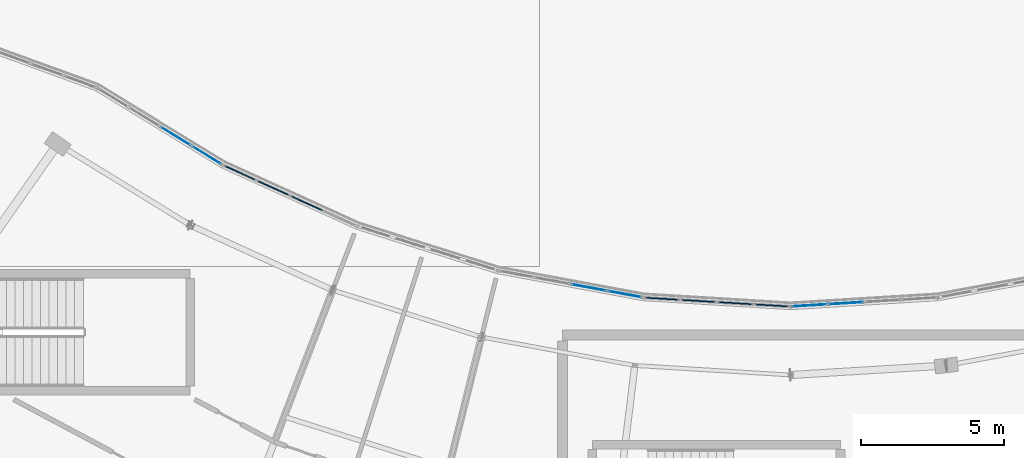
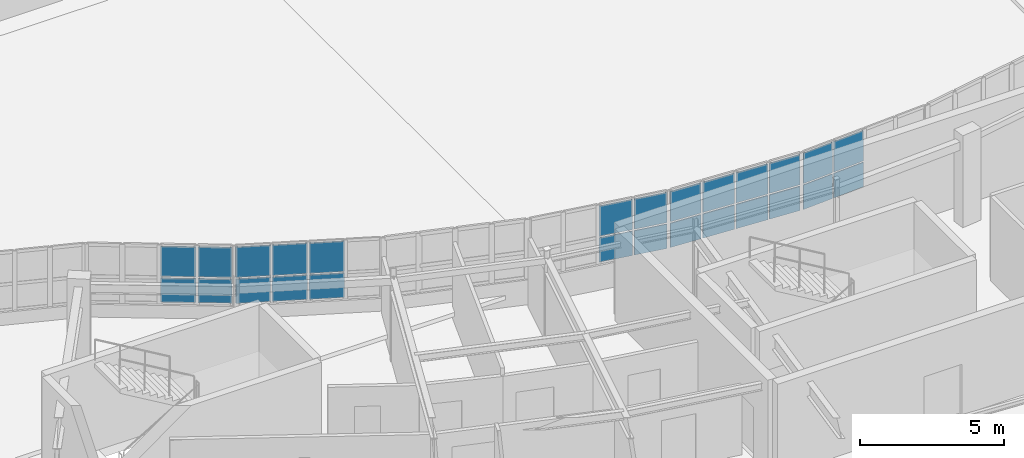
# One storey, part 69 of 128: 26 plates, 5 elements without a shape of their own.
"""IFC4 building model written with IfcOpenShell, lengths in metres."""

from ifc_helpers import new_model, si_unit, direction, frame, origin, origin_2d, place, context, subcontext, project, spatial, rectangle, extrude, material, layer, layer_set, type_object, element, aggregate, save


model = new_model("IFC4")

# Units and contexts
model_context = context("Model", 3, precision=1e-05, world=origin(), true_north=direction((0.0, 1.0)))
body_context = subcontext(model_context, "Body", "Model", "MODEL_VIEW")
ifc_project = project(units=[si_unit("LENGTHUNIT", "METRE"), si_unit("AREAUNIT", "SQUARE_METRE"), si_unit("VOLUMEUNIT", "CUBIC_METRE"), si_unit("PLANEANGLEUNIT", "RADIAN"), si_unit("MASSUNIT", "GRAM", prefix="KILO")], contexts=[model_context])

# Site, building, storey
site_placement = place(None, origin())
site = spatial("IfcSite", under=ifc_project, at=site_placement, CompositionType="ELEMENT")
building_placement = place(site_placement, origin())
building = spatial("IfcBuilding", under=site, at=building_placement, Name="Tarnwether General Hospital", CompositionType="ELEMENT")
storey_placement = place(building_placement, frame((0.0, 0.0, 14.39990234375)))
storey = spatial("IfcBuildingStorey", under=building, at=storey_placement, Name="L03", CompositionType="ELEMENT", Elevation=14.39990234375)

# Curtain wall, plates
ifc_material_1 = material(Name="Anodised aluminium", Category="aluminium")
ifc_layer_1 = layer(ifc_material_1, 0.159912109375)
ifc_layer_set_1 = layer_set([ifc_layer_1], Name="Anodised aluminium")
curtain_wall_type = type_object("IfcCurtainWallType", Name="CW-04", PredefinedType="NOTDEFINED", material=ifc_layer_set_1)
curtain_wall_1_placement = place(storey_placement, origin())
curtain_wall_1 = element("IfcCurtainWall", 1, at=curtain_wall_1_placement, inside=storey, type_object=curtain_wall_type, Name="Curtain Wall CWG-L03-920_206-0174", PredefinedType="NOTDEFINED")
ifc_material_2 = material(Name="Double glazed low-E glass", Category="glass")
ifc_layer_2 = layer(ifc_material_2, 0.028076171875)
ifc_layer_set_2 = layer_set([ifc_layer_2], Name="Double glazed low-E glass")
plate_type_1 = type_object("IfcPlateType", Name="PT-CWP1", PredefinedType="CURTAIN_PANEL", material=ifc_layer_set_2)
plate_1_placement = place(storey_placement, frame((92.660888671875, 20.640380859375, 1.110107421875), z_axis=(0.0, 0.0, 1.0), x_axis=(0.998135119267, 0.06104329354, 0.0)))
plate_1 = element("IfcPlate", 2, at=plate_1_placement, type_object=plate_type_1, Name="CW-04 panel 1.1", PredefinedType="CURTAIN_PANEL", context=body_context, shape_type="SweptSolid", body=[
    extrude(rectangle(XDim=1.2041015625, YDim=0.028076171875, at=origin_2d()), origin(), (0.0, 0.0, 1.0), 1.03955078125),
])
plate_2_placement = place(storey_placement, frame((92.660888671875, 20.640380859375, 2.20947265625), z_axis=(0.0, 0.0, 1.0), x_axis=(0.998135119267, 0.06104329354, 0.0)))
plate_2 = element("IfcPlate", 3, at=plate_2_placement, type_object=plate_type_1, Name="CW-04 panel 1.2", PredefinedType="CURTAIN_PANEL", context=body_context, shape_type="SweptSolid", body=[
    extrude(rectangle(XDim=1.2041015625, YDim=0.028076171875, at=origin_2d()), origin(), (0.0, 0.0, 1.0), 1.29052734375),
])
plate_3_placement = place(storey_placement, frame((93.937744140625, 20.718505859375, 1.110107421875), z_axis=(0.0, 0.0, 1.0), x_axis=(0.998135119267, 0.06104329354, 0.0)))
plate_3 = element("IfcPlate", 4, at=plate_3_placement, type_object=plate_type_1, Name="CW-04 panel 2.1", PredefinedType="CURTAIN_PANEL", context=body_context, shape_type="SweptSolid", body=[
    extrude(rectangle(XDim=1.234130859375, YDim=0.028076171875, at=origin_2d()), origin(), (0.0, 0.0, 1.0), 1.03955078125),
])
plate_4_placement = place(storey_placement, frame((93.937744140625, 20.718505859375, 2.20947265625), z_axis=(0.0, 0.0, 1.0), x_axis=(0.998135119267, 0.06104329354, 0.0)))
plate_4 = element("IfcPlate", 5, at=plate_4_placement, type_object=plate_type_1, Name="CW-04 panel 2.2", PredefinedType="CURTAIN_PANEL", context=body_context, shape_type="SweptSolid", body=[
    extrude(rectangle(XDim=1.234130859375, YDim=0.028076171875, at=origin_2d()), origin(), (0.0, 0.0, 1.0), 1.29052734375),
])
aggregate(curtain_wall_1, [plate_1, plate_2, plate_3, plate_4])

curtain_wall_2_placement = place(storey_placement, origin())
curtain_wall_2 = element("IfcCurtainWall", 6, at=curtain_wall_2_placement, inside=storey, type_object=curtain_wall_type, Name="Curtain Wall CWG-L03-817_219-0176", PredefinedType="NOTDEFINED")
plate_5_placement = place(storey_placement, frame((84.92431640625, 21.26953125, 1.115234375), z_axis=(0.0, 0.0, 1.0), x_axis=(0.983267910924, -0.182165351666, 0.0)))
plate_5 = element("IfcPlate", 7, at=plate_5_placement, type_object=plate_type_1, Name="CW-04 panel 3.1", PredefinedType="CURTAIN_PANEL", context=body_context, shape_type="SweptSolid", body=[
    extrude(rectangle(XDim=1.229248046875, YDim=0.028076171875, at=origin_2d()), origin(), (0.0, 0.0, 1.0), 1.031982421875),
])
plate_6_placement = place(storey_placement, frame((84.92431640625, 21.26953125, 2.2119140625), z_axis=(0.0, 0.0, 1.0), x_axis=(0.983267910924, -0.182165351666, 0.0)))
plate_6 = element("IfcPlate", 8, at=plate_6_placement, type_object=plate_type_1, Name="CW-04 panel 3.2", PredefinedType="CURTAIN_PANEL", context=body_context, shape_type="SweptSolid", body=[
    extrude(rectangle(XDim=1.229248046875, YDim=0.028076171875, at=origin_2d()), origin(), (0.0, 0.0, 1.0), 1.282958984375),
])
plate_7_placement = place(storey_placement, frame((86.1806640625, 21.036865234375, 1.115234375), z_axis=(0.0, 0.0, 1.0), x_axis=(0.983267910924, -0.182165351666, 0.0)))
plate_7 = element("IfcPlate", 9, at=plate_7_placement, type_object=plate_type_1, Name="CW-04 panel 4.1", PredefinedType="CURTAIN_PANEL", context=body_context, shape_type="SweptSolid", body=[
    extrude(rectangle(XDim=1.196533203125, YDim=0.028076171875, at=origin_2d()), origin(), (0.0, 0.0, 1.0), 1.031982421875),
])
plate_8_placement = place(storey_placement, frame((86.1806640625, 21.036865234375, 2.2119140625), z_axis=(0.0, 0.0, 1.0), x_axis=(0.983267910924, -0.182165351666, 0.0)))
plate_8 = element("IfcPlate", 10, at=plate_8_placement, type_object=plate_type_1, Name="CW-04 panel 4.2", PredefinedType="CURTAIN_PANEL", context=body_context, shape_type="SweptSolid", body=[
    extrude(rectangle(XDim=1.196533203125, YDim=0.028076171875, at=origin_2d()), origin(), (0.0, 0.0, 1.0), 1.282958984375),
])
aggregate(curtain_wall_2, [plate_5, plate_6, plate_7, plate_8])

curtain_wall_3_placement = place(storey_placement, origin())
curtain_wall_3 = element("IfcCurtainWall", 11, at=curtain_wall_3_placement, inside=storey, type_object=curtain_wall_type, Name="Curtain Wall CWG-L03-677_283-0179", PredefinedType="NOTDEFINED")
plate_9_placement = place(storey_placement, frame((70.438720703125, 26.577392578125, 1.1201171875), z_axis=(0.0, 0.0, 1.0), x_axis=(0.852631789198, -0.522512231483, 0.0)))
plate_9 = element("IfcPlate", 12, at=plate_9_placement, type_object=plate_type_1, Name="CW-04 panel 3.1", PredefinedType="CURTAIN_PANEL", context=body_context, shape_type="SweptSolid", body=[
    extrude(rectangle(XDim=1.22412109375, YDim=0.028076171875, at=origin_2d()), origin(), (0.0, 0.0, 1.0), 1.0244140625),
])
plate_10_placement = place(storey_placement, frame((70.438720703125, 26.577392578125, 2.214599609375), z_axis=(0.0, 0.0, 1.0), x_axis=(0.852631789198, -0.522512231483, 0.0)))
plate_10 = element("IfcPlate", 13, at=plate_10_placement, type_object=plate_type_1, Name="CW-04 panel 3.2", PredefinedType="CURTAIN_PANEL", context=body_context, shape_type="SweptSolid", body=[
    extrude(rectangle(XDim=1.22412109375, YDim=0.028076171875, at=origin_2d()), origin(), (0.0, 0.0, 1.0), 1.275390625),
])
plate_11_placement = place(storey_placement, frame((71.52734375, 25.91015625, 1.1201171875), z_axis=(0.0, 0.0, 1.0), x_axis=(0.852631789198, -0.522512231483, 0.0)))
plate_11 = element("IfcPlate", 14, at=plate_11_placement, type_object=plate_type_1, Name="CW-04 panel 4.1", PredefinedType="CURTAIN_PANEL", context=body_context, shape_type="SweptSolid", body=[
    extrude(rectangle(XDim=1.189208984375, YDim=0.028076171875, at=origin_2d()), origin(), (0.0, 0.0, 1.0), 1.0244140625),
])
plate_12_placement = place(storey_placement, frame((71.52734375, 25.91015625, 2.214599609375), z_axis=(0.0, 0.0, 1.0), x_axis=(0.852631789198, -0.522512231483, 0.0)))
plate_12 = element("IfcPlate", 15, at=plate_12_placement, type_object=plate_type_1, Name="CW-04 panel 4.2", PredefinedType="CURTAIN_PANEL", context=body_context, shape_type="SweptSolid", body=[
    extrude(rectangle(XDim=1.189208984375, YDim=0.028076171875, at=origin_2d()), origin(), (0.0, 0.0, 1.0), 1.275390625),
])
aggregate(curtain_wall_3, [plate_9, plate_10, plate_11, plate_12])

curtain_wall_4_placement = place(storey_placement, origin())
curtain_wall_4 = element("IfcCurtainWall", 16, at=curtain_wall_4_placement, inside=storey, type_object=curtain_wall_type, Name="Curtain Wall CWG-L03-868_209-0175", PredefinedType="NOTDEFINED")
ifc_material_3 = material(Name="Double glazed low-E glass", Category="glass")
ifc_layer_3 = layer(ifc_material_3, 0.035888671875)
ifc_layer_set_3 = layer_set([ifc_layer_3], Name="Double glazed low-E glass")
plate_type_2 = type_object("IfcPlateType", Name="PT-CWP2", PredefinedType="CURTAIN_PANEL", material=ifc_layer_set_3)
plate_13_placement = place(storey_placement, frame((87.496337890625, 20.87548828125, 1.1201171875), z_axis=(0.0, 0.0, 1.0), x_axis=(0.998135119267, -0.06104329354, 0.0)))
plate_13 = element("IfcPlate", 17, at=plate_13_placement, type_object=plate_type_2, Name="CW-04 panel 1.1", PredefinedType="CURTAIN_PANEL", context=body_context, shape_type="SweptSolid", body=[
    extrude(rectangle(XDim=1.189208984375, YDim=0.035888671875, at=origin_2d()), origin(), (0.0, 0.0, 1.0), 1.0244140625),
])
plate_14_placement = place(storey_placement, frame((87.496337890625, 20.87548828125, 2.214599609375), z_axis=(0.0, 0.0, 1.0), x_axis=(0.998135119267, -0.06104329354, 0.0)))
plate_14 = element("IfcPlate", 18, at=plate_14_placement, type_object=plate_type_2, Name="CW-04 panel 1.2", PredefinedType="CURTAIN_PANEL", context=body_context, shape_type="SweptSolid", body=[
    extrude(rectangle(XDim=1.189208984375, YDim=0.035888671875, at=origin_2d()), origin(), (0.0, 0.0, 1.0), 1.275390625),
])
plate_15_placement = place(storey_placement, frame((88.7705078125, 20.797607421875, 1.1201171875), z_axis=(0.0, 0.0, 1.0), x_axis=(0.998135119267, -0.06104329354, 0.0)))
plate_15 = element("IfcPlate", 19, at=plate_15_placement, type_object=plate_type_2, Name="CW-04 panel 2.1", PredefinedType="CURTAIN_PANEL", context=body_context, shape_type="SweptSolid", body=[
    extrude(rectangle(XDim=1.22412109375, YDim=0.035888671875, at=origin_2d()), origin(), (0.0, 0.0, 1.0), 1.0244140625),
])
plate_16_placement = place(storey_placement, frame((88.7705078125, 20.797607421875, 2.214599609375), z_axis=(0.0, 0.0, 1.0), x_axis=(0.998135119267, -0.06104329354, 0.0)))
plate_16 = element("IfcPlate", 20, at=plate_16_placement, type_object=plate_type_2, Name="CW-04 panel 2.2", PredefinedType="CURTAIN_PANEL", context=body_context, shape_type="SweptSolid", body=[
    extrude(rectangle(XDim=1.22412109375, YDim=0.035888671875, at=origin_2d()), origin(), (0.0, 0.0, 1.0), 1.275390625),
])
plate_17_placement = place(storey_placement, frame((90.062255859375, 20.718505859375, 1.1201171875), z_axis=(0.0, 0.0, 1.0), x_axis=(0.998135119267, -0.06104329354, 0.0)))
plate_17 = element("IfcPlate", 21, at=plate_17_placement, type_object=plate_type_2, Name="CW-04 panel 3.1", PredefinedType="CURTAIN_PANEL", context=body_context, shape_type="SweptSolid", body=[
    extrude(rectangle(XDim=1.22412109375, YDim=0.035888671875, at=origin_2d()), origin(), (0.0, 0.0, 1.0), 1.0244140625),
])
plate_18_placement = place(storey_placement, frame((90.062255859375, 20.718505859375, 2.214599609375), z_axis=(0.0, 0.0, 1.0), x_axis=(0.998135119267, -0.06104329354, 0.0)))
plate_18 = element("IfcPlate", 22, at=plate_18_placement, type_object=plate_type_2, Name="CW-04 panel 3.2", PredefinedType="CURTAIN_PANEL", context=body_context, shape_type="SweptSolid", body=[
    extrude(rectangle(XDim=1.22412109375, YDim=0.035888671875, at=origin_2d()), origin(), (0.0, 0.0, 1.0), 1.275390625),
])
plate_19_placement = place(storey_placement, frame((91.336669921875, 20.640625, 1.1201171875), z_axis=(0.0, 0.0, 1.0), x_axis=(0.998135119267, -0.06104329354, 0.0)))
plate_19 = element("IfcPlate", 23, at=plate_19_placement, type_object=plate_type_2, Name="CW-04 panel 4.1", PredefinedType="CURTAIN_PANEL", context=body_context, shape_type="SweptSolid", body=[
    extrude(rectangle(XDim=1.189208984375, YDim=0.035888671875, at=origin_2d()), origin(), (0.0, 0.0, 1.0), 1.0244140625),
])
plate_20_placement = place(storey_placement, frame((91.336669921875, 20.640625, 2.214599609375), z_axis=(0.0, 0.0, 1.0), x_axis=(0.998135119267, -0.06104329354, 0.0)))
plate_20 = element("IfcPlate", 24, at=plate_20_placement, type_object=plate_type_2, Name="CW-04 panel 4.2", PredefinedType="CURTAIN_PANEL", context=body_context, shape_type="SweptSolid", body=[
    extrude(rectangle(XDim=1.189208984375, YDim=0.035888671875, at=origin_2d()), origin(), (0.0, 0.0, 1.0), 1.275390625),
])
aggregate(curtain_wall_4, [plate_13, plate_14, plate_15, plate_16, plate_17, plate_18, plate_19, plate_20])

curtain_wall_5_placement = place(storey_placement, origin())
curtain_wall_5 = element("IfcCurtainWall", 25, at=curtain_wall_5_placement, inside=storey, type_object=curtain_wall_type, Name="Curtain Wall CWG-L03-721_256-0178", PredefinedType="NOTDEFINED")
plate_21_placement = place(storey_placement, frame((72.696533203125, 25.288330078125, 1.110107421875), z_axis=(0.0, 0.0, 1.0), x_axis=(0.90995590549, -0.41470501572, 0.0)))
plate_21 = element("IfcPlate", 26, at=plate_21_placement, type_object=plate_type_2, Name="CW-04 panel 1.1", PredefinedType="CURTAIN_PANEL", context=body_context, shape_type="SweptSolid", body=[
    extrude(rectangle(XDim=1.204345703125, YDim=0.035888671875, at=origin_2d()), origin(), (0.0, 0.0, 1.0), 1.03955078125),
])
plate_22_placement = place(storey_placement, frame((72.696533203125, 25.288330078125, 2.20947265625), z_axis=(0.0, 0.0, 1.0), x_axis=(0.90995590549, -0.41470501572, 0.0)))
plate_22 = element("IfcPlate", 27, at=plate_22_placement, type_object=plate_type_2, Name="CW-04 panel 1.2", PredefinedType="CURTAIN_PANEL", context=body_context, shape_type="SweptSolid", body=[
    extrude(rectangle(XDim=1.204345703125, YDim=0.035888671875, at=origin_2d()), origin(), (0.0, 0.0, 1.0), 1.29052734375),
])
plate_23_placement = place(storey_placement, frame((73.860595703125, 24.7578125, 1.110107421875), z_axis=(0.0, 0.0, 1.0), x_axis=(0.90995590549, -0.41470501572, 0.0)))
plate_23 = element("IfcPlate", 28, at=plate_23_placement, type_object=plate_type_2, Name="CW-04 panel 2.1", PredefinedType="CURTAIN_PANEL", context=body_context, shape_type="SweptSolid", body=[
    extrude(rectangle(XDim=1.234375, YDim=0.035888671875, at=origin_2d()), origin(), (0.0, 0.0, 1.0), 1.03955078125),
])
plate_24_placement = place(storey_placement, frame((73.860595703125, 24.7578125, 2.20947265625), z_axis=(0.0, 0.0, 1.0), x_axis=(0.90995590549, -0.41470501572, 0.0)))
plate_24 = element("IfcPlate", 29, at=plate_24_placement, type_object=plate_type_2, Name="CW-04 panel 2.2", PredefinedType="CURTAIN_PANEL", context=body_context, shape_type="SweptSolid", body=[
    extrude(rectangle(XDim=1.234375, YDim=0.035888671875, at=origin_2d()), origin(), (0.0, 0.0, 1.0), 1.29052734375),
])
plate_25_placement = place(storey_placement, frame((75.038330078125, 24.22119140625, 1.110107421875), z_axis=(0.0, 0.0, 1.0), x_axis=(0.90995590549, -0.41470501572, 0.0)))
plate_25 = element("IfcPlate", 30, at=plate_25_placement, type_object=plate_type_2, Name="CW-04 panel 3.1", PredefinedType="CURTAIN_PANEL", context=body_context, shape_type="SweptSolid", body=[
    extrude(rectangle(XDim=1.234375, YDim=0.035888671875, at=origin_2d()), origin(), (0.0, 0.0, 1.0), 1.03955078125),
])
plate_26_placement = place(storey_placement, frame((75.038330078125, 24.22119140625, 2.20947265625), z_axis=(0.0, 0.0, 1.0), x_axis=(0.90995590549, -0.41470501572, 0.0)))
plate_26 = element("IfcPlate", 31, at=plate_26_placement, type_object=plate_type_2, Name="CW-04 panel 3.2", PredefinedType="CURTAIN_PANEL", context=body_context, shape_type="SweptSolid", body=[
    extrude(rectangle(XDim=1.234375, YDim=0.035888671875, at=origin_2d()), origin(), (0.0, 0.0, 1.0), 1.29052734375),
])
aggregate(curtain_wall_5, [plate_21, plate_22, plate_23, plate_24, plate_25, plate_26])

save(model, "model.ifc")
